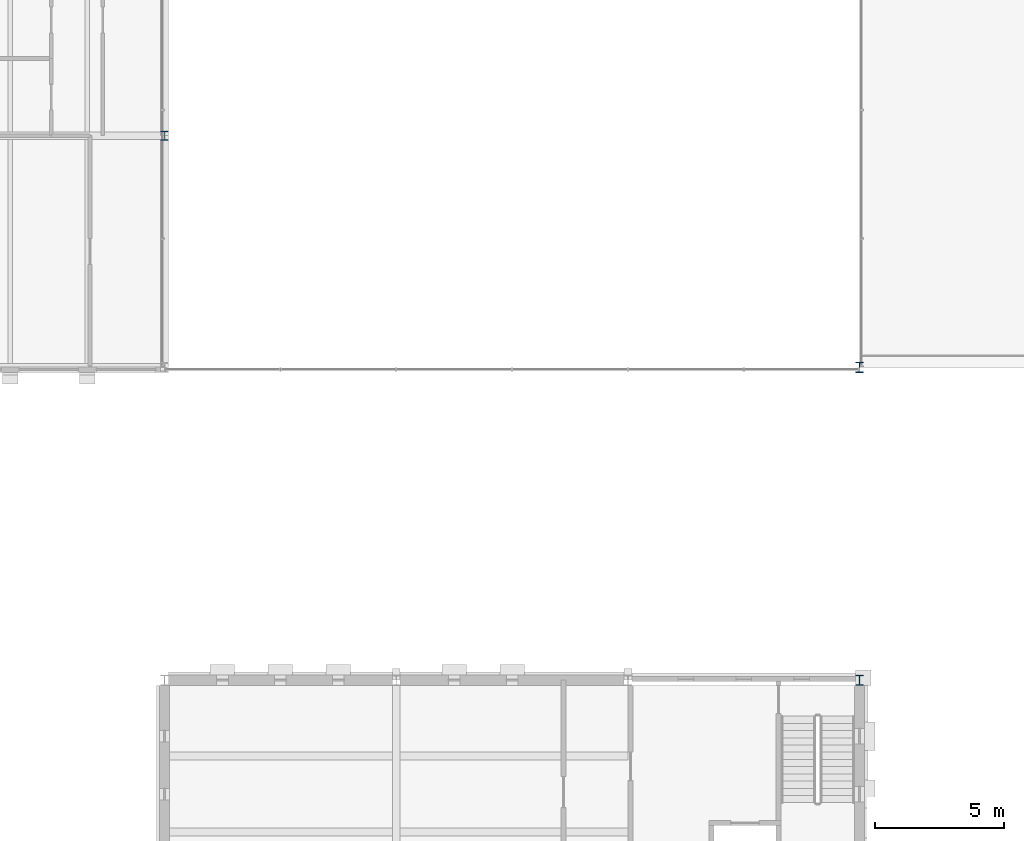
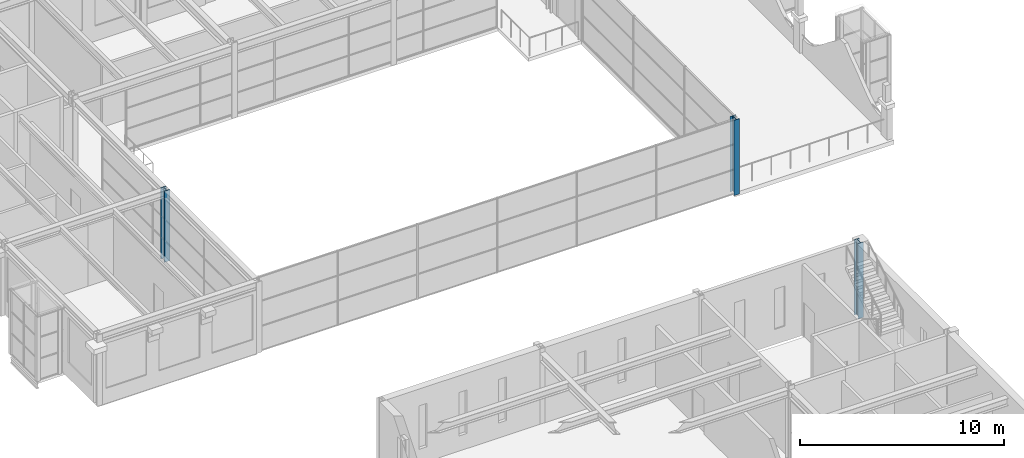
# One storey, part 4 of 111: 3 columns.
"""IFC4 building model written with IfcOpenShell, lengths in metres."""

from ifc_helpers import new_model, si_unit, direction, frame, origin, origin_2d, place, context, subcontext, project, spatial, i_section, extrude, material, material_profile, profile_set, type_object, element, save


model = new_model("IFC4")

# Units and contexts
model_context = context("Model", 3, precision=1e-05, world=origin(), true_north=direction((0.0, 1.0)))
body_context = subcontext(model_context, "Body", "Model", "MODEL_VIEW")
ifc_project = project(units=[si_unit("LENGTHUNIT", "METRE"), si_unit("AREAUNIT", "SQUARE_METRE"), si_unit("VOLUMEUNIT", "CUBIC_METRE"), si_unit("PLANEANGLEUNIT", "RADIAN"), si_unit("MASSUNIT", "GRAM", prefix="KILO")], contexts=[model_context])

# Site, building, storey
site_placement = place(None, origin())
site = spatial("IfcSite", under=ifc_project, at=site_placement, CompositionType="ELEMENT")
building_placement = place(site_placement, origin())
building = spatial("IfcBuilding", under=site, at=building_placement, Name="Kallimachos Central Library", CompositionType="ELEMENT")
storey_placement = place(building_placement, frame((0.0, 0.0, 14.39990234375)))
storey = spatial("IfcBuildingStorey", under=building, at=storey_placement, Name="L03", CompositionType="ELEMENT", Elevation=14.39990234375)

# Columns
ifc_material_1 = material(Name="Steel S355J2", Category="steel")
ifc_material_profile_1 = material_profile(ifc_material_1, i_section(OverallWidth=0.300048828125, OverallDepth=0.39990234375, WebThickness=0.013427734375, FlangeThickness=0.02392578125, FilletRadius=0.027099609375, at=origin_2d()), Name="HEB 400")
ifc_profile_set_1 = profile_set([ifc_material_profile_1], Name="Steel S355J2")
column_type_1 = type_object("IfcColumnType", Name="HEB 400 column", PredefinedType="COLUMN", material=ifc_profile_set_1)
for number, where, z_axis, x_axis, name in (
    (1, (101.5, 44.85009765625, 0.0), (0.0, 0.0, 1.0), (1.0, 0.0, 0.0), "V5-COL-L03-016"),
    (2, (101.5, 57.0, 0.0), (0.0, 0.0, 1.0), (1.0, 0.0, 0.0), "V4-COL-L03-017"),
):
    element("IfcColumn", number, at=place(storey_placement, frame(where, z_axis=z_axis, x_axis=x_axis)), inside=storey, type_object=column_type_1, Name=name, PredefinedType="COLUMN", context=body_context, shape_type="SweptSolid", body=[
        extrude(i_section(OverallWidth=0.300048828125, OverallDepth=0.39990234375, WebThickness=0.013427734375, FlangeThickness=0.02392578125, FilletRadius=0.027099609375, at=origin_2d()), origin(), (0.0, 0.0, 1.0), 4.5),
    ])
ifc_material_2 = material(Name="Steel S355J2", Category="steel")
ifc_material_profile_2 = material_profile(ifc_material_2, i_section(OverallWidth=0.30908203125, OverallDepth=0.376953125, WebThickness=0.02099609375, FlangeThickness=0.0400390625, FilletRadius=0.027099609375, at=origin_2d()), Name="HEM 340")
ifc_profile_set_2 = profile_set([ifc_material_profile_2], Name="Steel S355J2")
column_type_2 = type_object("IfcColumnType", Name="HEM 340 column", PredefinedType="COLUMN", material=ifc_profile_set_2)
column_placement = place(storey_placement, frame((74.5, 66.0, 0.0), z_axis=(0.0, 0.0, 1.0), x_axis=(1.0, 0.0, 0.0)))
element("IfcColumn", 3, at=column_placement, inside=storey, type_object=column_type_2, Name="V4-COL-L03-004", PredefinedType="COLUMN", context=body_context, shape_type="SweptSolid", body=[
    extrude(i_section(OverallWidth=0.30908203125, OverallDepth=0.376953125, WebThickness=0.02099609375, FlangeThickness=0.0400390625, FilletRadius=0.027099609375, at=origin_2d()), origin(), (0.0, 0.0, 1.0), 4.25),
])

save(model, "model.ifc")
